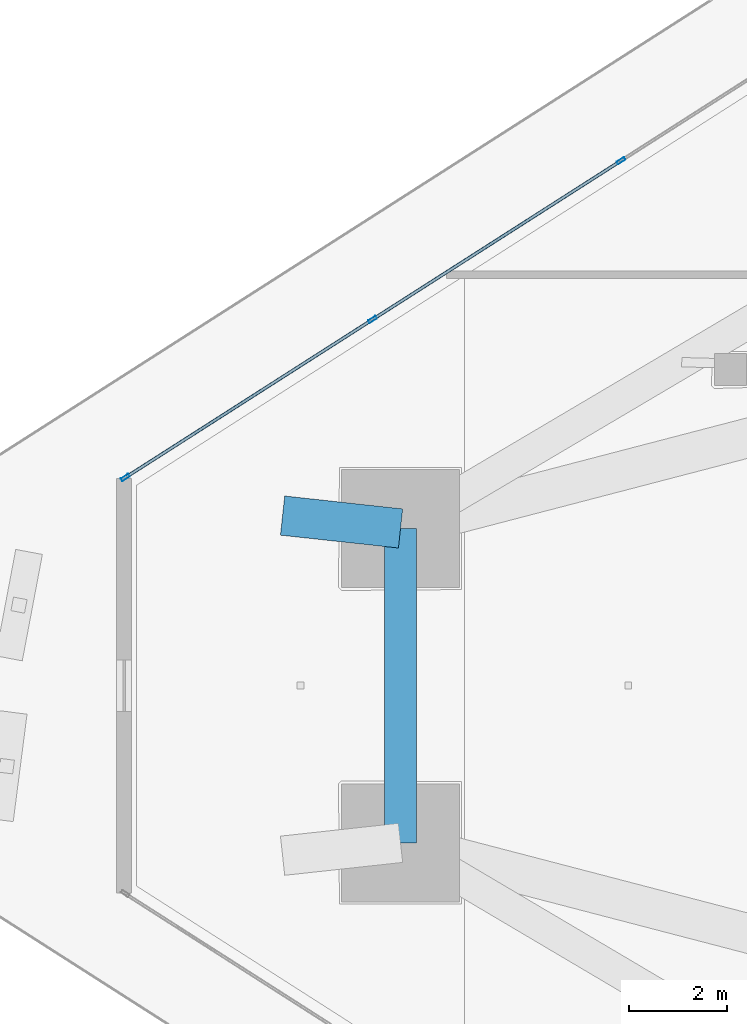
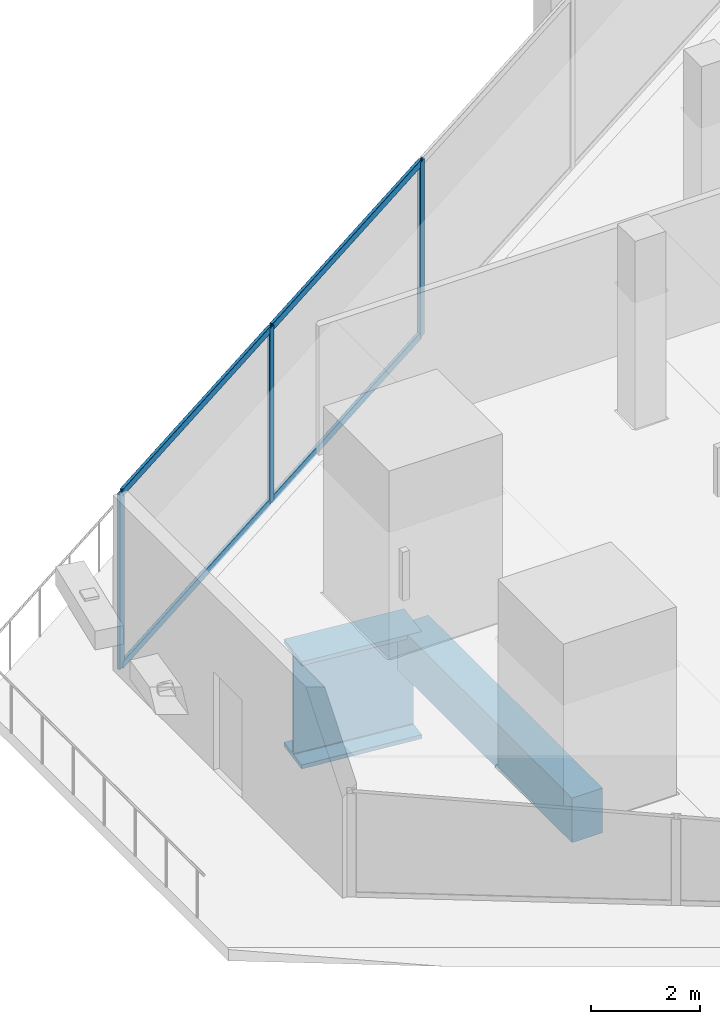
# One storey, part 12 of 42: 7 members, 2 beams, 1 element without a shape of its own.
"""IFC4 building model written with IfcOpenShell, lengths in metres."""

from ifc_helpers import new_model, si_unit, direction, frame, origin, origin_2d, place, context, subcontext, project, spatial, rectangle, hollow_rectangle, i_section, extrude, material, layer, layer_set, material_profile, profile_set, type_object, element, aggregate, save


model = new_model("IFC4")

# Units and contexts
model_context = context("Model", 3, precision=1e-05, world=origin(), true_north=direction((0.0, 1.0)))
body_context = subcontext(model_context, "Body", "Model", "MODEL_VIEW")
ifc_project = project(units=[si_unit("LENGTHUNIT", "METRE"), si_unit("AREAUNIT", "SQUARE_METRE"), si_unit("VOLUMEUNIT", "CUBIC_METRE"), si_unit("PLANEANGLEUNIT", "RADIAN"), si_unit("MASSUNIT", "GRAM", prefix="KILO")], contexts=[model_context])

# Site, building, storey
site_placement = place(None, origin())
site = spatial("IfcSite", under=ifc_project, at=site_placement, CompositionType="ELEMENT")
building_placement = place(site_placement, origin())
building = spatial("IfcBuilding", under=site, at=building_placement, Name="Qorvath Tower", CompositionType="ELEMENT")
storey_placement = place(building_placement, frame((0.0, 0.0, 32.39990234375)))
storey = spatial("IfcBuildingStorey", under=building, at=storey_placement, Name="L06", CompositionType="ELEMENT", Elevation=32.39990234375)

# Beams
ifc_material_1 = material(Name="Concrete C50/60", Category="concrete")
ifc_material_profile_1 = material_profile(ifc_material_1, rectangle(XDim=0.64990234375, YDim=1.0, at=origin_2d()), Name="RCB 1000x650")
ifc_profile_set_1 = profile_set([ifc_material_profile_1], Name="Concrete C50/60")
beam_type_1 = type_object("IfcBeamType", Name="BM-RCB1", PredefinedType="SPANDREL", material=ifc_profile_set_1)
beam_1_placement = place(storey_placement, frame((-55.282958984375, 3.194580078125, -0.77978515625), z_axis=(0.0, -1.0, 0.0), x_axis=(1.0, 0.0, 0.0)))
element("IfcBeam", 1, at=beam_1_placement, inside=storey, type_object=beam_type_1, Name="Perimeter Loggia Frame Beam MC1-MC2 L06", PredefinedType="SPANDREL", context=body_context, shape_type="SweptSolid", body=[
    extrude(rectangle(XDim=0.64990234375, YDim=1.0, at=origin_2d()), origin(), (0.0, 0.0, 1.0), 6.38916015625),
])
ifc_material_2 = material(Name="Steel ASTM A572 Grade 50", Category="steel")
ifc_material_profile_2 = material_profile(ifc_material_2, i_section(OverallWidth=0.800048828125, OverallDepth=2.39990234375, WebThickness=0.044921875, FlangeThickness=0.090087890625, FilletRadius=0.02490234375, at=origin_2d()), Name="WTG 2400x800")
ifc_profile_set_2 = profile_set([ifc_material_profile_2], Name="Steel ASTM A572 Grade 50")
beam_type_2 = type_object("IfcBeamType", Name="BM-TG2", PredefinedType="BEAM", material=ifc_profile_set_2)
beam_2_placement = place(storey_placement, frame((-57.679931640625, 3.4560546875, -1.479736328125), z_axis=(0.994102772005, -0.108442052232, 0.0), x_axis=(0.108442052232, 0.994102772005, 0.0)))
element("IfcBeam", 2, at=beam_2_placement, inside=storey, type_object=beam_type_2, Name="Zone Step Transfer Tie MC1 L06", PredefinedType="BEAM", context=body_context, shape_type="SweptSolid", body=[
    extrude(i_section(OverallWidth=0.800048828125, OverallDepth=2.39990234375, WebThickness=0.044921875, FlangeThickness=0.090087890625, FilletRadius=0.02490234375, at=origin_2d()), origin(), (0.0, 0.0, 1.0), 2.4111328125),
])

# Curtain wall, members
ifc_material_3 = material(Name="Anodised aluminium and triple low-E glass", Category="aluminium")
ifc_layer = layer(ifc_material_3, 0.179931640625)
ifc_layer_set = layer_set([ifc_layer], Name="CW-SYS-2")
curtain_wall_type = type_object("IfcCurtainWallType", Name="CW-SYS-2", PredefinedType="NOTDEFINED", material=ifc_layer_set)
curtain_wall_placement = place(storey_placement, origin())
curtain_wall = element("IfcCurtainWall", 3, at=curtain_wall_placement, inside=storey, type_object=curtain_wall_type, Name="Curtain Wall CW-2 CW-T-L06-16.3", PredefinedType="NOTDEFINED")
ifc_material_4 = material(Name="Anodised aluminium 6063-T6", Category="aluminium")
ifc_material_profile_3 = material_profile(ifc_material_4, hollow_rectangle(XDim=0.06494140625, YDim=0.179931640625, WallThickness=0.00341796875, InnerFilletRadius=0.00341796875, OuterFilletRadius=0.007080078125, at=origin_2d()), Name="CWM 180x65")
ifc_profile_set_3 = profile_set([ifc_material_profile_3], Name="Anodised aluminium 6063-T6")
member_type_1 = type_object("IfcMemberType", Name="CWM-180", PredefinedType="MULLION", material=ifc_profile_set_3)
member_1_placement = place(storey_placement, frame((-50.80224609375, 10.66748046875, 0.0), z_axis=(0.0, 0.0, 1.0), x_axis=(0.538528741164, -0.84260714152, 0.0)))
member_1 = element("IfcMember", 4, at=member_1_placement, type_object=member_type_1, Name="CW-2 mullion 3", PredefinedType="MULLION", context=body_context, shape_type="SweptSolid", body=[
    extrude(hollow_rectangle(XDim=0.06494140625, YDim=0.179931640625, WallThickness=0.00341796875, InnerFilletRadius=0.00341796875, OuterFilletRadius=0.007080078125, at=origin_2d()), origin(), (0.0, 0.0, 1.0), 3.920166015625),
])
member_2_placement = place(storey_placement, frame((-55.852294921875, 7.43994140625, 0.0), z_axis=(0.0, 0.0, 1.0), x_axis=(0.538528741164, -0.84260714152, 0.0)))
member_2 = element("IfcMember", 5, at=member_2_placement, type_object=member_type_1, Name="CW-2 mullion 4", PredefinedType="MULLION", context=body_context, shape_type="SweptSolid", body=[
    extrude(hollow_rectangle(XDim=0.06494140625, YDim=0.179931640625, WallThickness=0.00341796875, InnerFilletRadius=0.00341796875, OuterFilletRadius=0.007080078125, at=origin_2d()), origin(), (0.0, 0.0, 1.0), 3.920166015625),
])
member_3_placement = place(storey_placement, frame((-60.875, 4.22998046875, 0.0), z_axis=(0.0, 0.0, 1.0), x_axis=(0.538528741164, -0.84260714152, 0.0)))
member_3 = element("IfcMember", 6, at=member_3_placement, type_object=member_type_1, Name="CW-2 mullion 5", PredefinedType="MULLION", context=body_context, shape_type="SweptSolid", body=[
    extrude(hollow_rectangle(XDim=0.06494140625, YDim=0.179931640625, WallThickness=0.00341796875, InnerFilletRadius=0.00341796875, OuterFilletRadius=0.007080078125, at=origin_2d()), origin(), (0.0, 0.0, 1.0), 3.920166015625),
])
ifc_material_5 = material(Name="Anodised aluminium 6063-T6", Category="aluminium")
ifc_material_profile_4 = material_profile(ifc_material_5, hollow_rectangle(XDim=0.06494140625, YDim=0.159912109375, WallThickness=0.00341796875, InnerFilletRadius=0.00341796875, OuterFilletRadius=0.007080078125, at=origin_2d()), Name="CWT 160x65")
ifc_profile_set_4 = profile_set([ifc_material_profile_4], Name="Anodised aluminium 6063-T6")
member_type_2 = type_object("IfcMemberType", Name="CWT-160", PredefinedType="USERDEFINED", material=ifc_profile_set_4)
member_4_placement = place(storey_placement, frame((-50.829833984375, 10.64990234375, 0.032470703125), z_axis=(-0.842615282309, -0.538516003494, 0.0), x_axis=(0.538516003494, -0.842615282309, 0.0)))
member_4 = element("IfcMember", 7, at=member_4_placement, type_object=member_type_2, Name="CW-2 transom 3.1", ObjectType="TRANSOM", PredefinedType="USERDEFINED", context=body_context, shape_type="SweptSolid", body=[
    extrude(hollow_rectangle(XDim=0.06494140625, YDim=0.159912109375, WallThickness=0.00341796875, InnerFilletRadius=0.00341796875, OuterFilletRadius=0.007080078125, at=origin_2d()), origin(), (0.0, 0.0, 1.0), 5.92822265625),
])
member_5_placement = place(storey_placement, frame((-50.829833984375, 10.64990234375, 3.8876953125), z_axis=(-0.842615282309, -0.538516003494, 0.0), x_axis=(0.538516003494, -0.842615282309, 0.0)))
member_5 = element("IfcMember", 8, at=member_5_placement, type_object=member_type_2, Name="CW-2 transom 3.2", ObjectType="TRANSOM", PredefinedType="USERDEFINED", context=body_context, shape_type="SweptSolid", body=[
    extrude(hollow_rectangle(XDim=0.06494140625, YDim=0.159912109375, WallThickness=0.00341796875, InnerFilletRadius=0.00341796875, OuterFilletRadius=0.007080078125, at=origin_2d()), origin(), (0.0, 0.0, 1.0), 5.92822265625),
])
member_6_placement = place(storey_placement, frame((-55.879638671875, 7.42236328125, 0.032470703125), z_axis=(-0.84260439745, -0.538533034639, 0.0), x_axis=(0.538533034639, -0.84260439745, 0.0)))
member_6 = element("IfcMember", 9, at=member_6_placement, type_object=member_type_2, Name="CW-2 transom 4.1", ObjectType="TRANSOM", PredefinedType="USERDEFINED", context=body_context, shape_type="SweptSolid", body=[
    extrude(hollow_rectangle(XDim=0.06494140625, YDim=0.159912109375, WallThickness=0.00341796875, InnerFilletRadius=0.00341796875, OuterFilletRadius=0.007080078125, at=origin_2d()), origin(), (0.0, 0.0, 1.0), 5.895751953125),
])
member_7_placement = place(storey_placement, frame((-55.879638671875, 7.42236328125, 3.8876953125), z_axis=(-0.84260439745, -0.538533034639, 0.0), x_axis=(0.538533034639, -0.84260439745, 0.0)))
member_7 = element("IfcMember", 10, at=member_7_placement, type_object=member_type_2, Name="CW-2 transom 4.2", ObjectType="TRANSOM", PredefinedType="USERDEFINED", context=body_context, shape_type="SweptSolid", body=[
    extrude(hollow_rectangle(XDim=0.06494140625, YDim=0.159912109375, WallThickness=0.00341796875, InnerFilletRadius=0.00341796875, OuterFilletRadius=0.007080078125, at=origin_2d()), origin(), (0.0, 0.0, 1.0), 5.895751953125),
])
aggregate(curtain_wall, [member_1, member_2, member_3, member_4, member_5, member_6, member_7])

save(model, "model.ifc")
